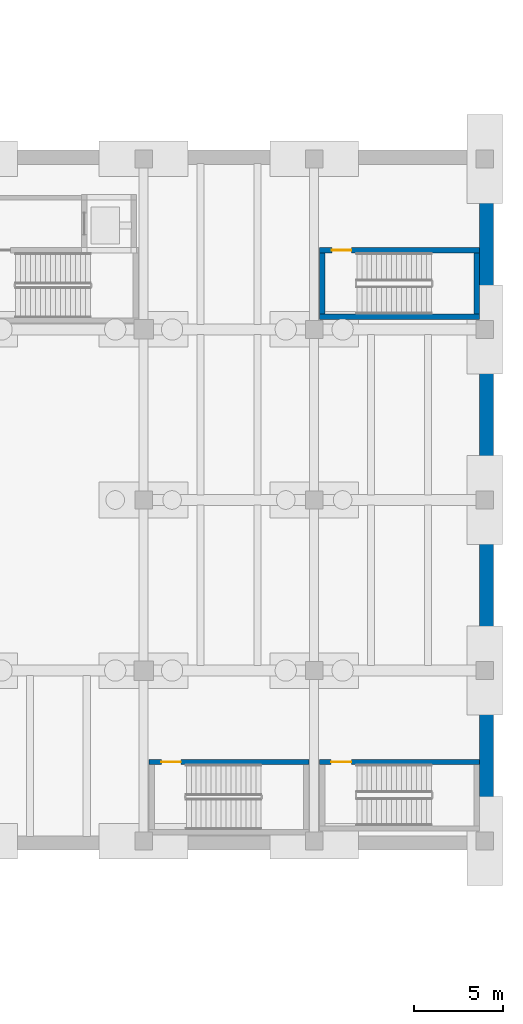
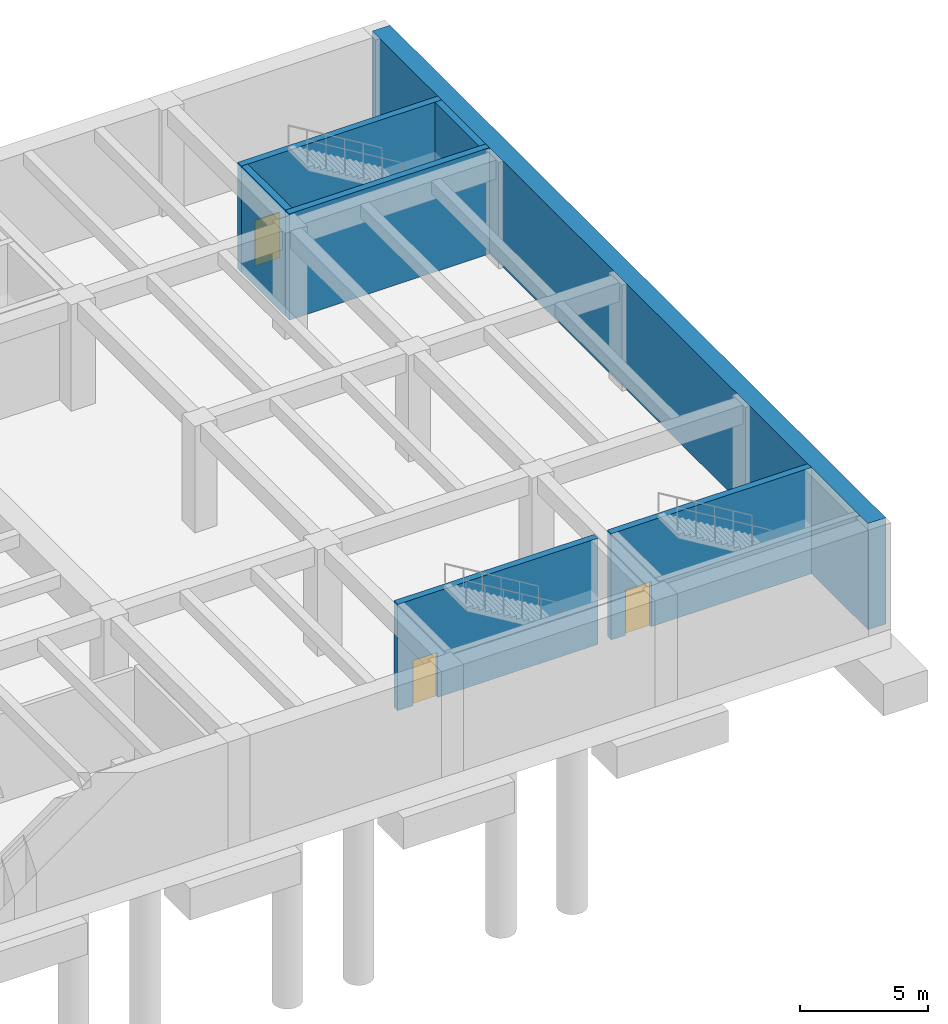
# One storey, part 14 of 24: 7 walls, 3 doors, 3 openings.
"""IFC4 building model written with IfcOpenShell, lengths in metres."""

from ifc_helpers import new_model, si_unit, direction, frame, frame_2d, origin, place, context, subcontext, project, spatial, rectangle, extrude, material, layer, layer_set, type_object, element, fill, save


model = new_model("IFC4")

# Units and contexts
model_context = context("Model", 3, precision=1e-05, world=origin(), true_north=direction((0.0, 1.0)))
body_context = subcontext(model_context, "Body", "Model", "MODEL_VIEW")
ifc_project = project(units=[si_unit("LENGTHUNIT", "METRE"), si_unit("AREAUNIT", "SQUARE_METRE"), si_unit("VOLUMEUNIT", "CUBIC_METRE"), si_unit("PLANEANGLEUNIT", "RADIAN"), si_unit("MASSUNIT", "GRAM", prefix="KILO")], contexts=[model_context])

# Site, building, storey
site_placement = place(None, origin())
site = spatial("IfcSite", under=ifc_project, at=site_placement, CompositionType="ELEMENT")
building_placement = place(site_placement, origin())
building = spatial("IfcBuilding", under=site, at=building_placement, Name="Coralgate Yard Interchange", CompositionType="ELEMENT")
storey_placement = place(building_placement, frame((0.0, 0.0, -10.800048828125)))
storey = spatial("IfcBuildingStorey", under=building, at=storey_placement, Name="B2", CompositionType="ELEMENT", Elevation=-10.800048828125)

# Wall, opening, door
ifc_material_1 = material(Name="Concrete C40/50", Category="concrete")
ifc_layer_1 = layer(ifc_material_1, 0.300048828125)
ifc_layer_set_1 = layer_set([ifc_layer_1], Name="Concrete C40/50")
wall_type_1 = type_object("IfcWallType", Name="WAL-CW300", PredefinedType="SHEAR", material=ifc_layer_set_1)
wall_1_placement = place(storey_placement, frame((153.300048828125, 42.85009765625, 0.0), z_axis=(0.0, 0.0, 1.0), x_axis=(-1.0, 0.0, 0.0)))
wall_1 = element("IfcWall", 1, at=wall_1_placement, inside=storey, type_object=wall_type_1, Name="C10 B2 stair north shear wall", PredefinedType="SHEAR", context=body_context, shape_type="SweptSolid", body=[
    extrude(rectangle(XDim=9.0, YDim=0.300048828125, at=frame_2d((4.5, 0.0))), origin(), (0.0, 0.0, 1.0), 5.050048828125),
])
opening_1_placement = place(wall_1_placement, frame((7.199951171875, 0.0, 0.0)))
opening_1 = element("IfcOpeningElement", 2, at=opening_1_placement, cuts=wall_1, Name="Opening FD-1B", PredefinedType="OPENING", context=body_context, shape_type="SweptSolid", body=[
    extrude(rectangle(XDim=1.14990234375, YDim=2.14990234375, at=frame_2d((0.574951171875, 1.074951171875))), frame((0.0, 0.159912109375, 0.0), z_axis=(0.0, -1.0, 0.0), x_axis=(1.0, 0.0, 0.0)), (0.0, 0.0, 1.0), 0.320068359375),
])
ifc_material_2 = material(Name="Powder-coated steel fire door assembly", Category="steel")
door_type_1 = type_object("IfcDoorType", Name="DOR-FD-1B", OperationType="NOTDEFINED", PredefinedType="DOOR", material=ifc_material_2)
door_1_placement = place(opening_1_placement, frame((1.14990234375, 0.0, 0.0), z_axis=(0.0, 0.0, 1.0), x_axis=(-1.0, 0.0, 0.0)))
door_1 = element("IfcDoor", 3, at=door_1_placement, inside=storey, type_object=door_type_1, Name="C10 B2 stair fire door", OperationType="SINGLE_SWING_RIGHT", OverallHeight=2.14990234375, OverallWidth=1.14990234375, PredefinedType="DOOR", context=body_context, shape_type="SweptSolid", body=[
    extrude(rectangle(XDim=1.14990234375, YDim=2.14990234375, at=frame_2d((0.574951171875, 1.074951171875))), frame((0.0, 0.02490234375, 0.0), z_axis=(0.0, -1.0, 0.0), x_axis=(1.0, 0.0, 0.0)), (0.0, 0.0, 1.0), 0.050048828125),
])
fill(opening_1, door_1)

# Wall
wall_2_placement = place(storey_placement, frame((144.300048828125, 67.909912109375, 0.0), z_axis=(0.0, 0.0, 1.0), x_axis=(1.0, 0.0, 0.0)))
element("IfcWall", 4, at=wall_2_placement, inside=storey, type_object=wall_type_1, Name="C11 B2 stair south shear wall", PredefinedType="SHEAR", context=body_context, shape_type="SweptSolid", body=[
    extrude(rectangle(XDim=9.0, YDim=0.300048828125, at=frame_2d((4.5, 0.0))), origin(), (0.0, 0.0, 1.0), 5.050048828125),
])

# Wall, opening, door
wall_3_placement = place(storey_placement, frame((153.300048828125, 71.64990234375, 0.0), z_axis=(0.0, 0.0, 1.0), x_axis=(-1.0, 0.0, 0.0)))
wall_3 = element("IfcWall", 5, at=wall_3_placement, inside=storey, type_object=wall_type_1, Name="C11 B2 stair north shear wall", PredefinedType="SHEAR", context=body_context, shape_type="SweptSolid", body=[
    extrude(rectangle(XDim=9.0, YDim=0.300048828125, at=frame_2d((4.5, 0.0))), origin(), (0.0, 0.0, 1.0), 5.050048828125),
])
opening_2_placement = place(wall_3_placement, frame((7.199951171875, 0.0, 0.0)))
opening_2 = element("IfcOpeningElement", 6, at=opening_2_placement, cuts=wall_3, Name="Opening FD-1", PredefinedType="OPENING", context=body_context, shape_type="SweptSolid", body=[
    extrude(rectangle(XDim=1.10009765625, YDim=2.14990234375, at=frame_2d((0.550048828125, 1.074951171875))), frame((0.0, 0.159912109375, 0.0), z_axis=(0.0, -1.0, 0.0), x_axis=(1.0, 0.0, 0.0)), (0.0, 0.0, 1.0), 0.320068359375),
])
door_type_2 = type_object("IfcDoorType", Name="DOR-FD-1", OperationType="NOTDEFINED", PredefinedType="DOOR", material=ifc_material_2)
door_2_placement = place(opening_2_placement, frame((1.10009765625, 0.0, 0.0), z_axis=(0.0, 0.0, 1.0), x_axis=(-1.0, 0.0, 0.0)))
door_2 = element("IfcDoor", 7, at=door_2_placement, inside=storey, type_object=door_type_2, Name="C11 B2 stair fire door", OperationType="SINGLE_SWING_LEFT", OverallHeight=2.14990234375, OverallWidth=1.10009765625, PredefinedType="DOOR", context=body_context, shape_type="SweptSolid", body=[
    extrude(rectangle(XDim=1.10009765625, YDim=2.14990234375, at=frame_2d((0.550048828125, 1.074951171875))), frame((0.0, 0.02490234375, 0.0), z_axis=(0.0, -1.0, 0.0), x_axis=(1.0, 0.0, 0.0)), (0.0, 0.0, 1.0), 0.050048828125),
])
fill(opening_2, door_2)

# Walls
for number, where, z_axis, x_axis, name in (
    (8, (144.449951171875, 68.06005859375, 0.0), (0.0, 0.0, 1.0), (0.0, 1.0, 0.0), "C11 B2 stair west shear wall"),
    (9, (153.14990234375, 71.5, 0.0), (0.0, 0.0, 1.0), (0.0, -1.0, 0.0), "C11 B2 stair east shear wall"),
):
    element("IfcWall", number, at=place(storey_placement, frame(where, z_axis=z_axis, x_axis=x_axis)), inside=storey, type_object=wall_type_1, Name=name, PredefinedType="SHEAR", context=body_context, shape_type="SweptSolid", body=[
        extrude(rectangle(XDim=3.43994140625, YDim=0.300048828125, at=frame_2d((1.719970703125, 0.0))), origin(), (0.0, 0.0, 1.0), 5.050048828125),
    ])

# Wall, opening, door
wall_4_placement = place(storey_placement, frame((143.699951171875, 42.85009765625, 0.0), z_axis=(0.0, 0.0, 1.0), x_axis=(-1.0, 0.0, 0.0)))
wall_4 = element("IfcWall", 10, at=wall_4_placement, inside=storey, type_object=wall_type_1, Name="C13 B2 stair north shear wall", PredefinedType="SHEAR", context=body_context, shape_type="SweptSolid", body=[
    extrude(rectangle(XDim=9.0, YDim=0.300048828125, at=frame_2d((4.5, 0.0))), origin(), (0.0, 0.0, 1.0), 5.050048828125),
])
opening_3_placement = place(wall_4_placement, frame((7.199951171875, 0.0, 0.0)))
opening_3 = element("IfcOpeningElement", 11, at=opening_3_placement, cuts=wall_4, Name="Opening FD-1", PredefinedType="OPENING", context=body_context, shape_type="SweptSolid", body=[
    extrude(rectangle(XDim=1.10009765625, YDim=2.14990234375, at=frame_2d((0.550048828125, 1.074951171875))), frame((0.0, 0.159912109375, 0.0), z_axis=(0.0, -1.0, 0.0), x_axis=(1.0, 0.0, 0.0)), (0.0, 0.0, 1.0), 0.320068359375),
])
door_3_placement = place(opening_3_placement, frame((1.10009765625, 0.0, 0.0), z_axis=(0.0, 0.0, 1.0), x_axis=(-1.0, 0.0, 0.0)))
door_3 = element("IfcDoor", 12, at=door_3_placement, inside=storey, type_object=door_type_2, Name="C13 B2 stair fire door", OperationType="SINGLE_SWING_LEFT", OverallHeight=2.14990234375, OverallWidth=1.10009765625, PredefinedType="DOOR", context=body_context, shape_type="SweptSolid", body=[
    extrude(rectangle(XDim=1.10009765625, YDim=2.14990234375, at=frame_2d((0.550048828125, 1.074951171875))), frame((0.0, 0.02490234375, 0.0), z_axis=(0.0, -1.0, 0.0), x_axis=(1.0, 0.0, 0.0)), (0.0, 0.0, 1.0), 0.050048828125),
])
fill(opening_3, door_3)

# Wall
ifc_layer_2 = layer(ifc_material_1, 0.800048828125)
ifc_layer_set_2 = layer_set([ifc_layer_2], Name="Concrete C40/50")
wall_type_2 = type_object("IfcWallType", Name="WAL-DW800", PredefinedType="SOLIDWALL", material=ifc_layer_set_2)
wall_5_placement = place(storey_placement, frame((153.699951171875, 76.89990234375, 0.0), z_axis=(0.0, 0.0, 1.0), x_axis=(0.0, -1.0, 0.0)))
element("IfcWall", 13, at=wall_5_placement, inside=storey, type_object=wall_type_2, Name="B2 diaphragm retaining wall 12", PredefinedType="SOLIDWALL", context=body_context, shape_type="SweptSolid", body=[
    extrude(rectangle(XDim=38.599853515625, YDim=0.800048828125, at=frame_2d((19.2998046875, 0.0))), origin(), (0.0, 0.0, 1.0), 5.050048828125),
])

save(model, "model.ifc")
